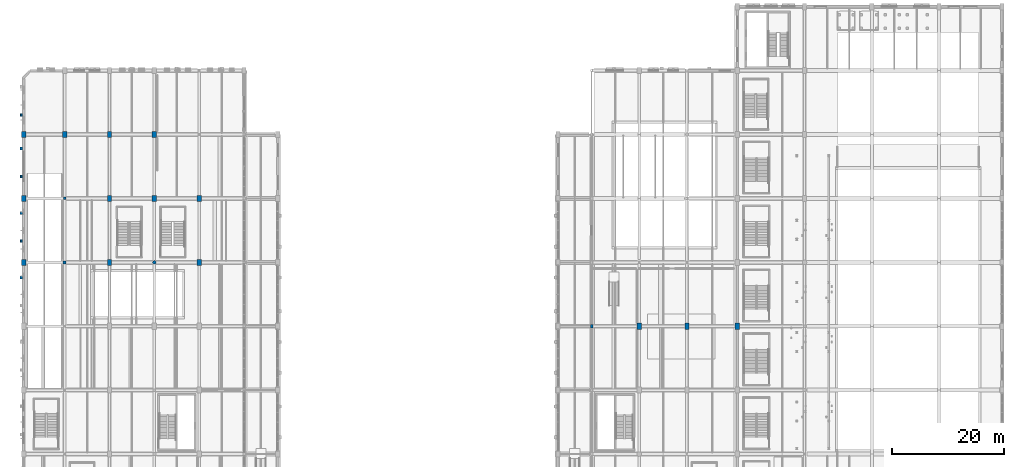
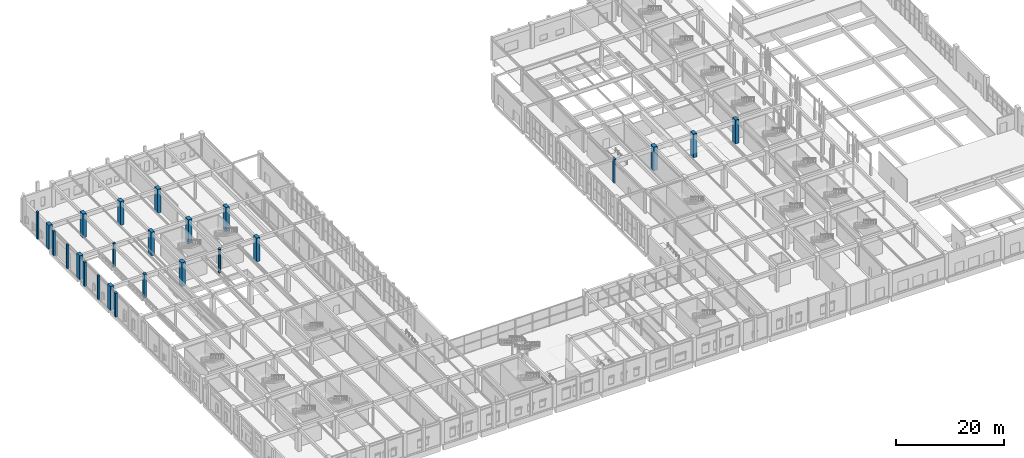
# One storey, part 11 of 113: 24 columns.
"""IFC4 building model written with IfcOpenShell, lengths in metres."""

import ifcopenshell
import ifcopenshell.guid

model = None  # the IFC model being written
_history = None  # IfcOwnerHistory: only IFC2X3 demands one
_inside = {}  # id of a spatial element -> (the spatial element, [elements in it])
_under = {}  # id of a project, library or spatial element -> (it, [spatial elements below it])
_declared = {}  # id of a project -> (the project, [libraries it declares])
_typed = {}  # id of a type object -> (the type object, [elements of that type])
_made_of = {}  # id of a material, layer set ... -> (it, [elements and type objects made of it])


def new_model(schema):
    """Start an empty IFC model of exactly this schema.

    Asked for "IFC4X3", IfcOpenShell would pick the latest addendum, in which some entities
    have other attributes; the version numbers below select the first issue.
    IFC2X3 requires an IfcOwnerHistory on every rooted entity: one is made here for all.
    """
    global model, _history
    if schema == "IFC4X3":
        model = ifcopenshell.file(schema_version=(4, 3, 0, 0))
    else:
        model = ifcopenshell.file(schema=schema)
    _inside.clear()
    _under.clear()
    _declared.clear()
    _typed.clear()
    _made_of.clear()
    _history = None
    if model.schema == "IFC2X3":
        org = make("IfcOrganization", Name="unknown")
        user = make(
            "IfcPersonAndOrganization",
            ThePerson=make("IfcPerson", FamilyName="unknown"),
            TheOrganization=org,
        )
        app = make(
            "IfcApplication",
            ApplicationDeveloper=org,
            Version="unknown",
            ApplicationFullName="unknown",
            ApplicationIdentifier="unknown",
        )
        _history = make(
            "IfcOwnerHistory",
            OwningUser=user,
            OwningApplication=app,
            ChangeAction="ADDED",
            CreationDate=0,
        )
    return model


def make(cls, **values):
    """One entity of the class cls with the attributes given. An attribute that is None is left unset."""
    return model.create_entity(
        cls, **{name: value for name, value in values.items() if value is not None}
    )


def rooted(cls, **values):
    """An entity with a GlobalId (a new one), such as an element, a storey or a relation."""
    return make(cls, GlobalId=ifcopenshell.guid.new(), OwnerHistory=_history, **values)


def si_unit(unit_type, name, prefix=None):
    """IfcSIUnit, for example si_unit("LENGTHUNIT", "METRE", prefix="MILLI")."""
    return make("IfcSIUnit", UnitType=unit_type, Prefix=prefix, Name=name)


def assignment(units):
    """IfcUnitAssignment: the units of a project."""
    return None if units is None else make("IfcUnitAssignment", Units=units)


def point(xyz):
    """IfcCartesianPoint."""
    return None if xyz is None else make("IfcCartesianPoint", Coordinates=xyz)


def direction(xyz):
    """IfcDirection."""
    return None if xyz is None else make("IfcDirection", DirectionRatios=xyz)


def frame(location, z_axis=None, x_axis=None):
    """IfcAxis2Placement3D, a coordinate frame: its origin and axes. An axis left out is left unset."""
    return make(
        "IfcAxis2Placement3D",
        Location=point(location),
        Axis=direction(z_axis),
        RefDirection=direction(x_axis),
    )


def frame_2d(location, x_axis=None):
    """IfcAxis2Placement2D, a coordinate frame in the plane: its origin and x axis."""
    return make(
        "IfcAxis2Placement2D", Location=point(location), RefDirection=direction(x_axis)
    )


def origin():
    """The frame at (0, 0, 0) with its axes left unset."""
    return frame((0.0, 0.0, 0.0))


def origin_2d():
    """The frame at (0, 0) in the plane with its x axis left unset."""
    return frame_2d((0.0, 0.0))


def place(relative_to, where):
    """IfcLocalPlacement: puts the frame where relative to a parent placement (None: the world)."""
    return make(
        "IfcLocalPlacement", PlacementRelTo=relative_to, RelativePlacement=where
    )


def context(
    kind, dimensions, precision=None, world=None, true_north=None, identifier=None
):
    """IfcGeometricRepresentationContext, for example the 3D "Model" context."""
    return make(
        "IfcGeometricRepresentationContext",
        ContextIdentifier=identifier,
        ContextType=kind,
        CoordinateSpaceDimension=dimensions,
        Precision=precision,
        WorldCoordinateSystem=world,
        TrueNorth=true_north,
    )


def subcontext(parent, identifier, kind, view, scale=None):
    """IfcGeometricRepresentationSubContext, for example "Body" below "Model"."""
    return make(
        "IfcGeometricRepresentationSubContext",
        ContextIdentifier=identifier,
        ContextType=kind,
        ParentContext=parent,
        TargetScale=scale,
        TargetView=view,
    )


def project(units=None, contexts=None):
    """IfcProject with its units and contexts."""
    return rooted(
        "IfcProject",
        Name="project",
        RepresentationContexts=contexts,
        UnitsInContext=assignment(units),
    )


def spatial(cls, under=None, at=None, **own):
    """A site, building, storey or space (cls), placed at a placement, below another one or the project."""
    s = rooted(cls, ObjectPlacement=at, **own)
    if under is not None:
        _under.setdefault(under.id(), (under, []))[1].append(s)
    return s


def profile(cls, at=None, kind="AREA", **sizes):
    """A parametric profile (cls). Its sizes go by their IFC names, for example OverallWidth=200.0."""
    return make(cls, ProfileType=kind, Position=at, **sizes)


def rectangle(**sizes):
    """IfcRectangleProfileDef."""
    return profile("IfcRectangleProfileDef", **sizes)


def circle(**sizes):
    """IfcCircleProfileDef."""
    return profile("IfcCircleProfileDef", **sizes)


def extrude(swept, where, along, depth):
    """IfcExtrudedAreaSolid: the profile swept, set in the frame where, extruded along a direction by depth."""
    return make(
        "IfcExtrudedAreaSolid",
        SweptArea=swept,
        Position=where,
        ExtrudedDirection=direction(along),
        Depth=depth,
    )


def shape(context_of_items, identifier, shape_type, items):
    """IfcShapeRepresentation: the items that make up one representation, for example the "Body"."""
    return make(
        "IfcShapeRepresentation",
        ContextOfItems=context_of_items,
        RepresentationIdentifier=identifier,
        RepresentationType=shape_type,
        Items=items,
    )


def material(Name=None, Category=None):
    """IfcMaterial."""
    return make("IfcMaterial", Name=Name, Category=Category)


def material_profile(
    of_material, cross_section, Name=None, Category=None, Priority=None
):
    """IfcMaterialProfile: a cross section and its material."""
    return make(
        "IfcMaterialProfile",
        Name=Name,
        Material=of_material,
        Profile=cross_section,
        Priority=Priority,
        Category=Category,
    )


def profile_set(profiles, Name=None, composite=None):
    """IfcMaterialProfileSet."""
    return make(
        "IfcMaterialProfileSet",
        Name=Name,
        MaterialProfiles=profiles,
        CompositeProfile=composite,
    )


def made_of(thing, what):
    """Note that an element or type object is made of a material, layer set ...; save() writes the relation."""
    if what is not None:
        _made_of.setdefault(what.id(), (what, []))[1].append(thing)
    return thing


def type_object(cls, material=None, **own):
    """A type object (cls), such as IfcWallType, which elements share."""
    return made_of(rooted(cls, **own), material)


def element(
    cls,
    number,
    at=None,
    inside=None,
    cuts=None,
    type_object=None,
    material=None,
    context=None,
    identifier="Body",
    shape_type=None,
    held_by="IfcProductDefinitionShape",
    body=None,
    shapes=None,
    **own,
):
    """One element of the class cls, such as IfcWall. Its Tag is "e" and its number.

    at: its placement. inside: the storey or other place that contains it. cuts: it is an
    opening in that element (IfcRelVoidsElement). A single representation is given by context,
    identifier, shape_type and body (its items); several are given by shapes. held_by: the class
    of the entity that holds the representations. save() writes the other relations.
    """
    e = rooted(cls, Tag="e%d" % number, ObjectPlacement=at, **own)
    if body is not None:
        shapes = [shape(context, identifier, shape_type, body)]
    if shapes is not None:
        e.Representation = make(held_by, Representations=shapes)
    if inside is not None:
        _inside.setdefault(inside.id(), (inside, []))[1].append(e)
    if cuts is not None:
        rooted(
            "IfcRelVoidsElement", RelatingBuildingElement=cuts, RelatedOpeningElement=e
        )
    if type_object is not None:
        _typed.setdefault(type_object.id(), (type_object, []))[1].append(e)
    return made_of(e, material)


def aggregate(whole, parts):
    """IfcRelAggregates: a whole, such as a stair, and the parts it consists of."""
    return rooted("IfcRelAggregates", RelatingObject=whole, RelatedObjects=parts)


def save(model, path):
    """Write the relations noted so far, then the file.

    IfcRelAggregates (storeys below a building ...), IfcRelContainedInSpatialStructure (elements
    in a storey), IfcRelDefinesByType, IfcRelAssociatesMaterial and IfcRelDeclares: one each for
    every whole, place, type object, material and project.
    """
    for whole, parts in _under.values():
        aggregate(whole, parts)
    for where, things in _inside.values():
        rooted(
            "IfcRelContainedInSpatialStructure",
            RelatedElements=things,
            RelatingStructure=where,
        )
    for kind, things in _typed.values():
        rooted("IfcRelDefinesByType", RelatedObjects=things, RelatingType=kind)
    for what, things in _made_of.values():
        rooted("IfcRelAssociatesMaterial", RelatedObjects=things, RelatingMaterial=what)
    for by, libraries in _declared.values():
        rooted("IfcRelDeclares", RelatingContext=by, RelatedDefinitions=libraries)
    model.write(path)


model = new_model("IFC4")

# Units and contexts
model_context = context("Model", 3, precision=1e-05, world=origin(), true_north=direction((0.0, 1.0)))
body_context = subcontext(model_context, "Body", "Model", "MODEL_VIEW")
ifc_project = project(units=[si_unit("LENGTHUNIT", "METRE"), si_unit("AREAUNIT", "SQUARE_METRE"), si_unit("VOLUMEUNIT", "CUBIC_METRE"), si_unit("PLANEANGLEUNIT", "RADIAN"), si_unit("MASSUNIT", "GRAM", prefix="KILO"), si_unit("POWERUNIT", "WATT"), si_unit("THERMODYNAMICTEMPERATUREUNIT", "KELVIN")], contexts=[model_context])

# Site, building, storey
site_placement = place(None, origin())
site = spatial("IfcSite", under=ifc_project, at=site_placement, CompositionType="ELEMENT")
building_placement = place(site_placement, origin())
building = spatial("IfcBuilding", under=site, at=building_placement, Name="Kelmbourne Parkland Aquatics Centre", CompositionType="ELEMENT")
storey_placement = place(building_placement, origin())
storey = spatial("IfcBuildingStorey", under=building, at=storey_placement, Name="L00", CompositionType="ELEMENT", Elevation=0.0)

# Columns
ifc_material_1 = material(Name="Concrete C40/50", Category="concrete")
ifc_material_profile_1 = material_profile(ifc_material_1, rectangle(XDim=0.75, YDim=1.10009765625, at=origin_2d()), Name="RC 750x1100")
ifc_profile_set_1 = profile_set([ifc_material_profile_1], Name="Concrete C40/50")
column_type_1 = type_object("IfcColumnType", Name="COL-C03", PredefinedType="COLUMN", material=ifc_profile_set_1)
for number, where, z_axis, x_axis, name in (
    (1, (0.699951171875, 69.199951171875, 0.0), (0.0, 0.0, 1.0), (1.0, 0.0, 0.0), "Structural column A-10 (L00)"),
    (2, (0.699951171875, 80.60009765625, 0.0), (0.0, 0.0, 1.0), (1.0, 0.0, 0.0), "Structural column A-11 (L00)"),
    (3, (0.699951171875, 92.0, 0.0), (0.0, 0.0, 1.0), (1.0, 0.0, 0.0), "Structural column A-12 (L00)"),
    (4, (8.0, 92.0, 0.0), (0.0, 0.0, 1.0), (1.0, 0.0, 0.0), "Structural column B-12 (L00)"),
    (5, (16.0, 69.199951171875, 0.0), (0.0, 0.0, 1.0), (1.0, 0.0, 0.0), "Structural column C-10 (L00)"),
    (6, (16.0, 80.60009765625, 0.0), (0.0, 0.0, 1.0), (1.0, 0.0, 0.0), "Structural column C-11 (L00)"),
    (7, (16.0, 92.0, 0.0), (0.0, 0.0, 1.0), (1.0, 0.0, 0.0), "Structural column C-12 (L00)"),
    (8, (24.0, 80.60009765625, 0.0), (0.0, 0.0, 1.0), (1.0, 0.0, 0.0), "Structural column D-11 (L00)"),
    (9, (24.0, 92.0, 0.0), (0.0, 0.0, 1.0), (1.0, 0.0, 0.0), "Structural column D-12 (L00)"),
    (10, (32.0, 69.199951171875, 0.0), (0.0, 0.0, 1.0), (1.0, 0.0, 0.0), "Structural column E-10 (L00)"),
    (11, (32.0, 80.60009765625, 0.0), (0.0, 0.0, 1.0), (1.0, 0.0, 0.0), "Structural column E-11 (L00)"),
    (12, (110.5, 57.800048828125, 0.0), (0.0, 0.0, 1.0), (1.0, 0.0, 0.0), "Structural column N-08 (L00)"),
    (13, (119.0, 57.800048828125, 0.0), (0.0, 0.0, 1.0), (1.0, 0.0, 0.0), "Structural column O-08 (L00)"),
    (14, (128.0, 57.800048828125, 0.0), (0.0, 0.0, 1.0), (1.0, 0.0, 0.0), "Structural column P-08 (L00)"),
):
    element("IfcColumn", number, at=place(storey_placement, frame(where, z_axis=z_axis, x_axis=x_axis)), inside=storey, type_object=column_type_1, Name=name, PredefinedType="COLUMN", context=body_context, shape_type="SweptSolid", body=[
        extrude(rectangle(XDim=0.75, YDim=1.10009765625, at=origin_2d()), origin(), (0.0, 0.0, 1.0), 5.39990234375),
    ])
ifc_material_profile_2 = material_profile(ifc_material_1, rectangle(XDim=0.550048828125, YDim=0.550048828125, at=origin_2d()), Name="RC 550x550")
ifc_profile_set_2 = profile_set([ifc_material_profile_2], Name="Concrete C40/50")
column_type_2 = type_object("IfcColumnType", Name="COL-C07", PredefinedType="COLUMN", material=ifc_profile_set_2)
column_1_placement = place(storey_placement, frame((8.0, 69.199951171875, 0.0), z_axis=(0.0, 0.0, 1.0), x_axis=(1.0, 0.0, 0.0)))
element("IfcColumn", 15, at=column_1_placement, inside=storey, type_object=column_type_2, Name="Structural column B-10 (L00)", PredefinedType="COLUMN", context=body_context, shape_type="SweptSolid", body=[
    extrude(rectangle(XDim=0.550048828125, YDim=0.550048828125, at=origin_2d()), origin(), (0.0, 0.0, 1.0), 5.39990234375),
])
ifc_material_profile_3 = material_profile(ifc_material_1, rectangle(XDim=0.449951171875, YDim=0.449951171875, at=origin_2d()), Name="RC 450x450")
ifc_profile_set_3 = profile_set([ifc_material_profile_3], Name="Concrete C40/50")
column_type_3 = type_object("IfcColumnType", Name="COL-C08", PredefinedType="COLUMN", material=ifc_profile_set_3)
column_2_placement = place(storey_placement, frame((8.0, 80.60009765625, 0.0), z_axis=(0.0, 0.0, 1.0), x_axis=(1.0, 0.0, 0.0)))
element("IfcColumn", 16, at=column_2_placement, inside=storey, type_object=column_type_3, Name="Structural column B-11 (L00)", PredefinedType="COLUMN", context=body_context, shape_type="SweptSolid", body=[
    extrude(rectangle(XDim=0.449951171875, YDim=0.449951171875, at=origin_2d()), origin(), (0.0, 0.0, 1.0), 5.39990234375),
])
ifc_material_profile_4 = material_profile(ifc_material_1, circle(Radius=0.300048828125, at=origin_2d()), Name="RC D600")
ifc_profile_set_4 = profile_set([ifc_material_profile_4], Name="Concrete C40/50")
column_type_4 = type_object("IfcColumnType", Name="COL-C10", PredefinedType="COLUMN", material=ifc_profile_set_4)
column_3_placement = place(storey_placement, frame((24.0, 69.199951171875, 0.0), z_axis=(0.0, 0.0, 1.0), x_axis=(1.0, 0.0, 0.0)))
element("IfcColumn", 17, at=column_3_placement, inside=storey, type_object=column_type_4, Name="Structural column D-10 (L00)", PredefinedType="COLUMN", context=body_context, shape_type="SweptSolid", body=[
    extrude(circle(Radius=0.300048828125, at=origin_2d()), origin(), (0.0, 0.0, 1.0), 5.39990234375),
])
ifc_material_2 = material(Name="Clay brick masonry AS 3700 M12", Category="masonry")
ifc_material_profile_5 = material_profile(ifc_material_2, rectangle(XDim=0.35009765625, YDim=0.5, at=origin_2d()), Name="PIL 350x500")
ifc_profile_set_5 = profile_set([ifc_material_profile_5], Name="Clay brick masonry AS 3700 M12")
column_type_5 = type_object("IfcColumnType", Name="PIL-PL1", PredefinedType="PILASTER", material=ifc_profile_set_5)
for number, where, z_axis, x_axis, name in (
    (18, (0.260009765625, 73.0, 0.0), (0.0, 0.0, 1.0), (1.0, 0.0, 0.0), "Amsterdam School engaged brick buttress W-013 (L00)"),
    (19, (0.260009765625, 84.5, 0.0), (0.0, 0.0, 1.0), (1.0, 0.0, 0.0), "Amsterdam School engaged brick buttress W-015 (L00)"),
):
    element("IfcColumn", number, at=place(storey_placement, frame(where, z_axis=z_axis, x_axis=x_axis)), inside=storey, type_object=column_type_5, Name=name, PredefinedType="PILASTER", context=body_context, shape_type="SweptSolid", body=[
        extrude(rectangle(XDim=0.35009765625, YDim=0.5, at=origin_2d()), origin(), (0.0, 0.0, 1.0), 5.39990234375),
    ])
column_4_placement = place(storey_placement, frame((0.260009765625, 95.5, 0.0), z_axis=(0.0, 0.0, 1.0), x_axis=(1.0, 0.0, 0.0)))
element("IfcColumn", 20, at=column_4_placement, inside=storey, type_object=column_type_5, Name="Amsterdam School engaged brick buttress W-017 (L00)", PredefinedType="PILASTER", context=body_context, shape_type="SweptSolid", body=[
    extrude(rectangle(XDim=0.35009765625, YDim=0.5, at=origin_2d()), origin(), (0.0, 0.0, 1.0), 6.14990234375),
])
ifc_material_profile_6 = material_profile(ifc_material_2, rectangle(XDim=0.449951171875, YDim=0.60009765625, at=origin_2d()), Name="PIL 450x600")
ifc_profile_set_6 = profile_set([ifc_material_profile_6], Name="Clay brick masonry AS 3700 M12")
column_type_6 = type_object("IfcColumnType", Name="PIL-PL2", PredefinedType="PILASTER", material=ifc_profile_set_6)
for number, where, z_axis, x_axis, name in (
    (21, (102.0, 57.800048828125, 0.0), (0.0, 0.0, 1.0), (1.0, 0.0, 0.0), "Engaged brick pilaster M-08 (L00)"),
    (22, (0.260009765625, 66.5, 0.0), (0.0, 0.0, 1.0), (1.0, 0.0, 0.0), "Amsterdam School engaged brick buttress W-012 (L00)"),
    (23, (0.260009765625, 78.0, 0.0), (0.0, 0.0, 1.0), (1.0, 0.0, 0.0), "Amsterdam School engaged brick buttress W-014 (L00)"),
    (24, (0.260009765625, 89.5, 0.0), (0.0, 0.0, 1.0), (1.0, 0.0, 0.0), "Amsterdam School engaged brick buttress W-016 (L00)"),
):
    element("IfcColumn", number, at=place(storey_placement, frame(where, z_axis=z_axis, x_axis=x_axis)), inside=storey, type_object=column_type_6, Name=name, PredefinedType="PILASTER", context=body_context, shape_type="SweptSolid", body=[
        extrude(rectangle(XDim=0.449951171875, YDim=0.60009765625, at=origin_2d()), origin(), (0.0, 0.0, 1.0), 5.39990234375),
    ])

save(model, "model.ifc")
